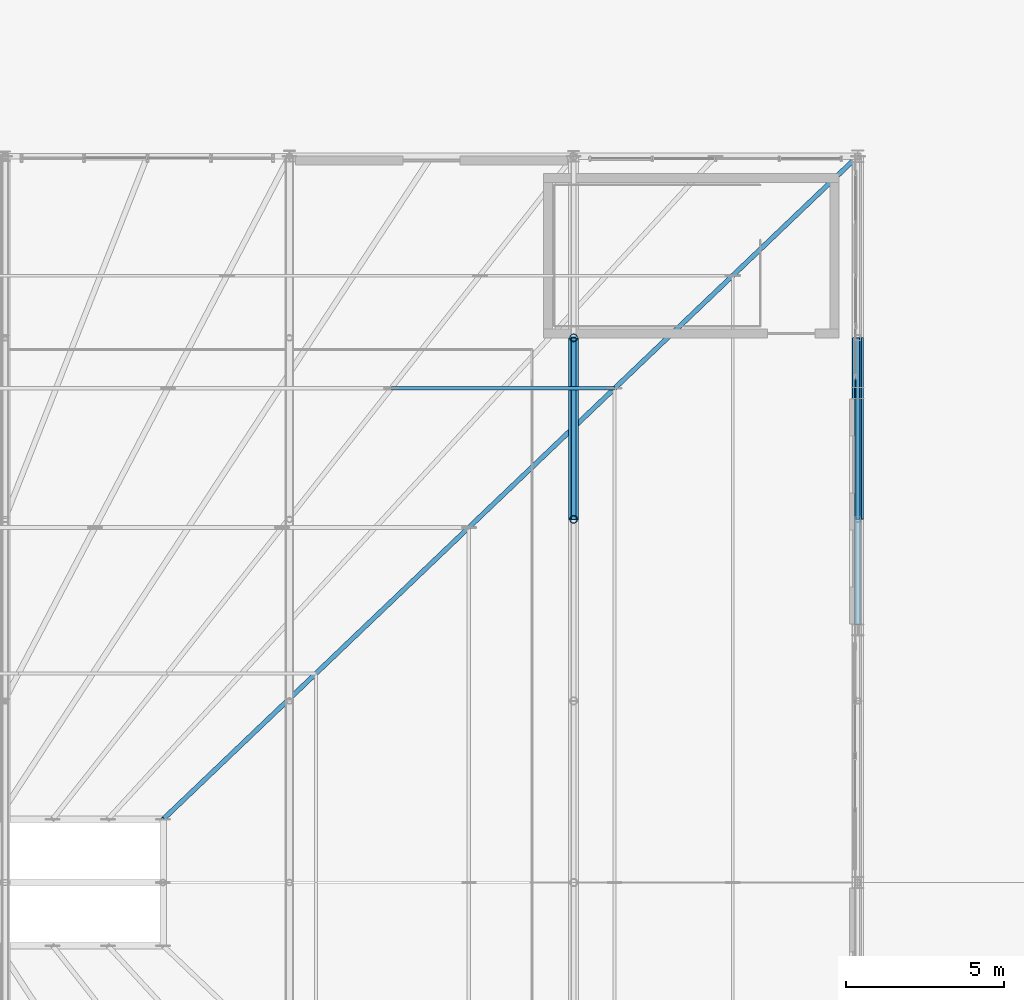
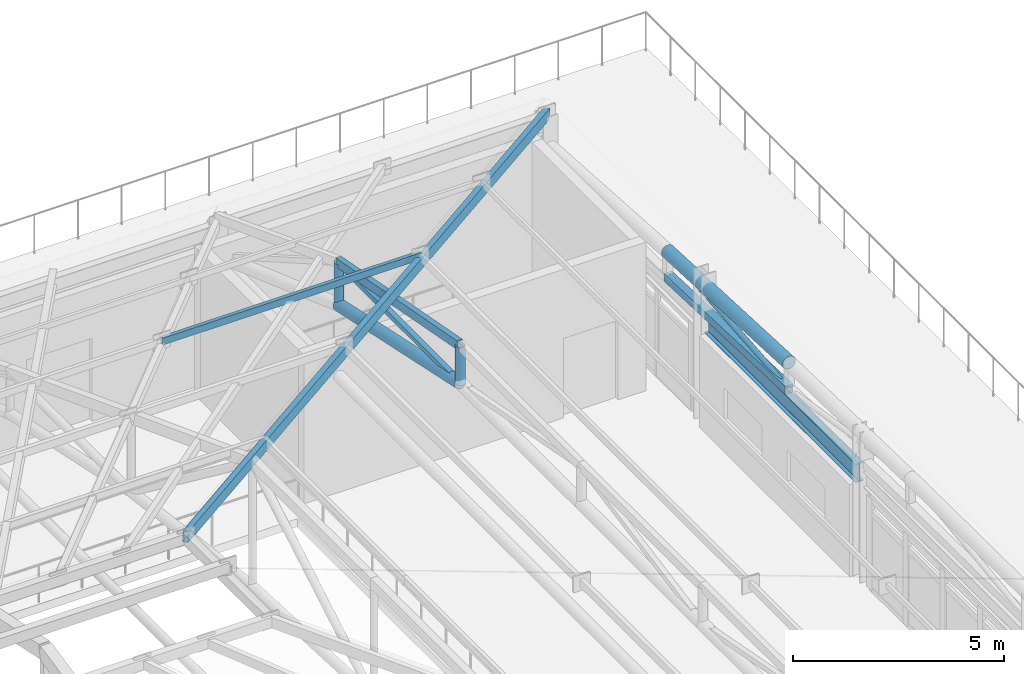
# One storey, part 64 of 168: 8 members, 3 beams.
"""IFC4 building model written with IfcOpenShell, lengths in metres."""

from ifc_helpers import new_model, si_unit, direction, frame, origin, origin_2d, place, context, subcontext, project, spatial, hollow_rectangle, hollow_circle, i_section, extrude, material, material_profile, profile_set, type_object, element, save


model = new_model("IFC4")

# Units and contexts
model_context = context("Model", 3, precision=1e-05, world=origin(), true_north=direction((0.0, 1.0)))
body_context = subcontext(model_context, "Body", "Model", "MODEL_VIEW")
ifc_project = project(units=[si_unit("LENGTHUNIT", "METRE"), si_unit("AREAUNIT", "SQUARE_METRE"), si_unit("VOLUMEUNIT", "CUBIC_METRE"), si_unit("PLANEANGLEUNIT", "RADIAN"), si_unit("MASSUNIT", "GRAM", prefix="KILO"), si_unit("THERMODYNAMICTEMPERATUREUNIT", "KELVIN"), si_unit("POWERUNIT", "WATT")], contexts=[model_context])

# Site, building, storey
site_placement = place(None, origin())
site = spatial("IfcSite", under=ifc_project, at=site_placement, CompositionType="ELEMENT")
building_placement = place(site_placement, origin())
building = spatial("IfcBuilding", under=site, at=building_placement, Name="Tepalcoro Natatorium and Aquatics Centre", CompositionType="ELEMENT")
storey_placement = place(building_placement, frame((0.0, 0.0, 10.199951171875)))
storey = spatial("IfcBuildingStorey", under=building, at=storey_placement, Name="L02", CompositionType="ELEMENT", Elevation=10.199951171875)

# Beams
ifc_material_1 = material(Name="Terracotta Painted Hollow Steel ASTM A500 Grade C (Fy 345 MPa)", Category="masonry")
ifc_material_profile_1 = material_profile(ifc_material_1, hollow_circle(Radius=0.177978515625, WallThickness=0.01611328125, at=origin_2d()), Name="CHS356X16")
ifc_profile_set_1 = profile_set([ifc_material_profile_1], Name="Terracotta Painted Hollow Steel ASTM A500 Grade C (Fy 345 MPa)")
beam_type_1 = type_object("IfcBeamType", Name="AC_CHS356x16", PredefinedType="USERDEFINED", material=ifc_profile_set_1)
beam_1_placement = place(storey_placement, frame((125.0, 47.5, 4.087646484375), z_axis=(0.0, 0.998934685623, -0.046146439282), x_axis=(-1.0, 0.0, 0.0)))
element("IfcBeam", 1, at=beam_1_placement, inside=storey, type_object=beam_type_1, Name="V1 Gable Arched Truss Top Chord 9", ObjectType="ARCH CHORD", PredefinedType="USERDEFINED", context=body_context, shape_type="SweptSolid", body=[
    extrude(hollow_circle(Radius=0.177978515625, WallThickness=0.01611328125, at=origin_2d()), origin(), (0.0, 0.0, 1.0), 5.756103515625),
])
ifc_material_profile_2 = material_profile(ifc_material_1, hollow_rectangle(XDim=0.14990234375, YDim=0.25, WallThickness=0.011962890625, at=origin_2d()), Name="HSS250X150X12")
ifc_profile_set_2 = profile_set([ifc_material_profile_2], Name="Terracotta Painted Hollow Steel ASTM A500 Grade C (Fy 345 MPa)")
beam_type_2 = type_object("IfcBeamType", Name="AC_HSS250x150x12", PredefinedType="USERDEFINED", material=ifc_profile_set_2)
beam_2_placement = place(storey_placement, frame((116.0, 47.5, 7.755859375), z_axis=(0.0, 0.982667533818, -0.185376692118), x_axis=(-1.0, 0.0, 0.0)))
element("IfcBeam", 2, at=beam_2_placement, inside=storey, type_object=beam_type_2, Name="V1 Arched Truss Top Chord 8", ObjectType="ARCH CHORD", PredefinedType="USERDEFINED", context=body_context, shape_type="SweptSolid", body=[
    extrude(hollow_rectangle(XDim=0.14990234375, YDim=0.25, WallThickness=0.011962890625, at=origin_2d()), origin(), (0.0, 0.0, 1.0), 5.851318359375),
])

# Members
ifc_material_profile_3 = material_profile(ifc_material_1, hollow_circle(Radius=0.162109375, WallThickness=0.013916015625, at=origin_2d()), Name="CHS324X14")
ifc_profile_set_3 = profile_set([ifc_material_profile_3], Name="Terracotta Painted Hollow Steel ASTM A500 Grade C (Fy 345 MPa)")
member_type_1 = type_object("IfcMemberType", Name="MB_CH_CHS324x14", PredefinedType="CHORD", material=ifc_profile_set_3)
member_1_placement = place(storey_placement, frame((116.0, 47.5, 6.656005859375), z_axis=(0.0, 0.977954071174, -0.20882010122), x_axis=(-1.0, 0.0, 0.0)))
element("IfcMember", 3, at=member_1_placement, inside=storey, type_object=member_type_1, Name="V1 Arched Truss Bottom Chord 8", PredefinedType="CHORD", context=body_context, shape_type="SweptSolid", body=[
    extrude(hollow_circle(Radius=0.162109375, WallThickness=0.013916015625, at=origin_2d()), origin(), (0.0, 0.0, 1.0), 5.879638671875),
])
ifc_material_profile_4 = material_profile(ifc_material_1, hollow_rectangle(XDim=0.219970703125, YDim=0.219970703125, WallThickness=0.011962890625, at=origin_2d()), Name="HSS220X220X12")
ifc_profile_set_4 = profile_set([ifc_material_profile_4], Name="Terracotta Painted Hollow Steel ASTM A500 Grade C (Fy 345 MPa)")
member_type_2 = type_object("IfcMemberType", Name="MB_CH_HSS220x220x12", PredefinedType="CHORD", material=ifc_profile_set_4)
member_2_placement = place(storey_placement, frame((125.0, 47.5, 3.324951171875), z_axis=(0.0, 0.999277131445, -0.038015977827), x_axis=(-1.0, 0.0, 0.0)))
element("IfcMember", 4, at=member_2_placement, inside=storey, type_object=member_type_2, Name="V1 Gable Arched Truss Bottom Chord 9", PredefinedType="CHORD", context=body_context, shape_type="SweptSolid", body=[
    extrude(hollow_rectangle(XDim=0.219970703125, YDim=0.219970703125, WallThickness=0.011962890625, at=origin_2d()), origin(), (0.0, 0.0, 1.0), 5.754150390625),
])
ifc_material_2 = material(Name="Hollow Steel ASTM A500 Grade C (Fy 345 MPa)", Category="steel")
ifc_material_profile_5 = material_profile(ifc_material_2, hollow_rectangle(XDim=0.10009765625, YDim=0.199951171875, WallThickness=0.008056640625, at=origin_2d()), Name="HSS200X100X8")
ifc_profile_set_5 = profile_set([ifc_material_profile_5], Name="Hollow Steel ASTM A500 Grade C (Fy 345 MPa)")
member_type_3 = type_object("IfcMemberType", Name="MB_PR_HSS200x100x8", PredefinedType="PURLIN", material=ifc_profile_set_5)
member_3_placement = place(storey_placement, frame((110.22509765625, 51.64990234375, 7.380126953125), z_axis=(1.0, 0.0, 0.0), x_axis=(0.0, 1.0, 0.0)))
element("IfcMember", 5, at=member_3_placement, inside=storey, type_object=member_type_3, Name="Pyramid Horizontal Purlin North", PredefinedType="PURLIN", context=body_context, shape_type="SweptSolid", body=[
    extrude(hollow_rectangle(XDim=0.10009765625, YDim=0.199951171875, WallThickness=0.008056640625, at=origin_2d()), origin(), (0.0, 0.0, 1.0), 7.074951171875),
])
ifc_material_profile_6 = material_profile(ifc_material_1, hollow_circle(Radius=0.1220703125, WallThickness=0.011962890625, at=origin_2d()), Name="CHS244X12")
ifc_profile_set_6 = profile_set([ifc_material_profile_6], Name="Terracotta Painted Hollow Steel ASTM A500 Grade C (Fy 345 MPa)")
member_type_4 = type_object("IfcMemberType", Name="MB_PS_CHS244x12", PredefinedType="POST", material=ifc_profile_set_6)
member_4_placement = place(storey_placement, frame((116.0, 47.5, 6.656005859375), z_axis=(0.0, 0.0, 1.0), x_axis=(1.0, 0.0, 0.0)))
element("IfcMember", 6, at=member_4_placement, inside=storey, type_object=member_type_4, Name="V1 Arched Truss Vertical Post 8", PredefinedType="POST", context=body_context, shape_type="SweptSolid", body=[
    extrude(hollow_circle(Radius=0.1220703125, WallThickness=0.011962890625, at=origin_2d()), origin(), (0.0, 0.0, 1.0), 1.099853515625),
])
member_5_placement = place(storey_placement, frame((116.0, 53.25, 5.42822265625), z_axis=(0.0, 0.0, 1.0), x_axis=(1.0, 0.0, 0.0)))
element("IfcMember", 7, at=member_5_placement, inside=storey, type_object=member_type_4, Name="V1 Arched Truss Vertical Post 8", PredefinedType="POST", context=body_context, shape_type="SweptSolid", body=[
    extrude(hollow_circle(Radius=0.1220703125, WallThickness=0.011962890625, at=origin_2d()), origin(), (0.0, 0.0, 1.0), 1.242919921875),
])
ifc_material_profile_7 = material_profile(ifc_material_1, hollow_rectangle(XDim=0.14990234375, YDim=0.300048828125, WallThickness=0.011962890625, at=origin_2d()), Name="HSS300X150X12")
ifc_profile_set_7 = profile_set([ifc_material_profile_7], Name="Terracotta Painted Hollow Steel ASTM A500 Grade C (Fy 345 MPa)")
member_type_5 = type_object("IfcMemberType", Name="MB_RF_HSS300x150x12", PredefinedType="RAFTER", material=ifc_profile_set_7)
member_6_placement = place(storey_placement, frame((125.0, 59.0, 4.320068359375), z_axis=(-0.698386900615, -0.666642041496, 0.260469049137), x_axis=(0.690475746683, -0.723355544144, 0.0)))
element("IfcMember", 8, at=member_6_placement, inside=storey, type_object=member_type_5, Name="Pyramid Hip Rafter NE", PredefinedType="RAFTER", context=body_context, shape_type="SweptSolid", body=[
    extrude(hollow_rectangle(XDim=0.14990234375, YDim=0.300048828125, WallThickness=0.011962890625, at=origin_2d()), origin(), (0.0, 0.0, 1.0), 31.501220703125),
])
ifc_material_profile_8 = material_profile(ifc_material_1, hollow_circle(Radius=0.070068359375, WallThickness=0.008056640625, at=origin_2d()), Name="CHS140X8")
ifc_profile_set_8 = profile_set([ifc_material_profile_8], Name="Terracotta Painted Hollow Steel ASTM A500 Grade C (Fy 345 MPa)")
member_type_6 = type_object("IfcMemberType", Name="MB_ST_CHS140x8", PredefinedType="STRUT", material=ifc_profile_set_8)
member_7_placement = place(storey_placement, frame((125.0, 47.5, 3.324951171875), z_axis=(0.0, 0.99628427021, 0.086125797136), x_axis=(-1.0, 0.0, 0.0)))
element("IfcMember", 9, at=member_7_placement, inside=storey, type_object=member_type_6, Name="V1 Arched Truss Web Diagonal 9", PredefinedType="STRUT", context=body_context, shape_type="SweptSolid", body=[
    extrude(hollow_circle(Radius=0.070068359375, WallThickness=0.008056640625, at=origin_2d()), origin(), (0.0, 0.0, 1.0), 5.771484375),
])
ifc_material_profile_9 = material_profile(ifc_material_2, hollow_rectangle(XDim=0.139892578125, YDim=0.139892578125, WallThickness=0.008056640625, at=origin_2d()), Name="HSS140X140X8")
ifc_profile_set_9 = profile_set([ifc_material_profile_9], Name="Hollow Steel ASTM A500 Grade C (Fy 345 MPa)")
member_type_7 = type_object("IfcMemberType", Name="MB_ST_HSS140x140x8", PredefinedType="STRUT", material=ifc_profile_set_9)
member_8_placement = place(storey_placement, frame((116.0, 47.5, 6.656005859375), z_axis=(0.0, 0.999996535061, 0.002632463705), x_axis=(-1.0, 0.0, 0.0)))
element("IfcMember", 10, at=member_8_placement, inside=storey, type_object=member_type_7, Name="V1 Arched Truss Web Diagonal 8", PredefinedType="STRUT", context=body_context, shape_type="SweptSolid", body=[
    extrude(hollow_rectangle(XDim=0.139892578125, YDim=0.139892578125, WallThickness=0.008056640625, at=origin_2d()), origin(), (0.0, 0.0, 1.0), 5.75),
])

# Beam
ifc_material_3 = material(Name="Steel ASTM A992 Grade 50 (Fy 345 MPa)", Category="steel")
ifc_material_profile_10 = material_profile(ifc_material_3, i_section(OverallWidth=0.2099609375, OverallDepth=0.535888671875, WebThickness=0.010986328125, FlangeThickness=0.01708984375, FilletRadius=0.013916015625, at=origin_2d()), Name="W21X68")
ifc_profile_set_10 = profile_set([ifc_material_profile_10], Name="Steel ASTM A992 Grade 50 (Fy 345 MPa)")
beam_type_3 = type_object("IfcBeamType", Name="SP_W21x68", PredefinedType="SPANDREL", material=ifc_profile_set_10)
beam_3_placement = place(storey_placement, frame((125.0, 44.1630859375, 2.93701171875), z_axis=(0.0, 1.0, 0.0), x_axis=(-1.0, 0.0, 0.0)))
element("IfcBeam", 11, at=beam_3_placement, inside=storey, type_object=beam_type_3, Name="V1 L02 Grid Girder Y", PredefinedType="SPANDREL", context=body_context, shape_type="SweptSolid", body=[
    extrude(i_section(OverallWidth=0.2099609375, OverallDepth=0.535888671875, WebThickness=0.010986328125, FlangeThickness=0.01708984375, FilletRadius=0.013916015625, at=origin_2d()), origin(), (0.0, 0.0, 1.0), 7.169921875),
])

save(model, "model.ifc")
